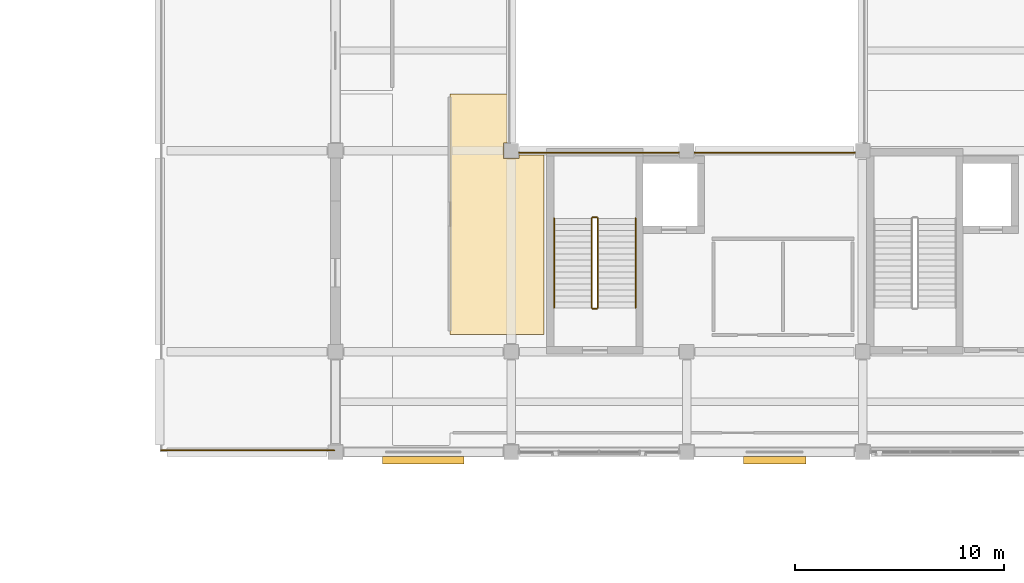
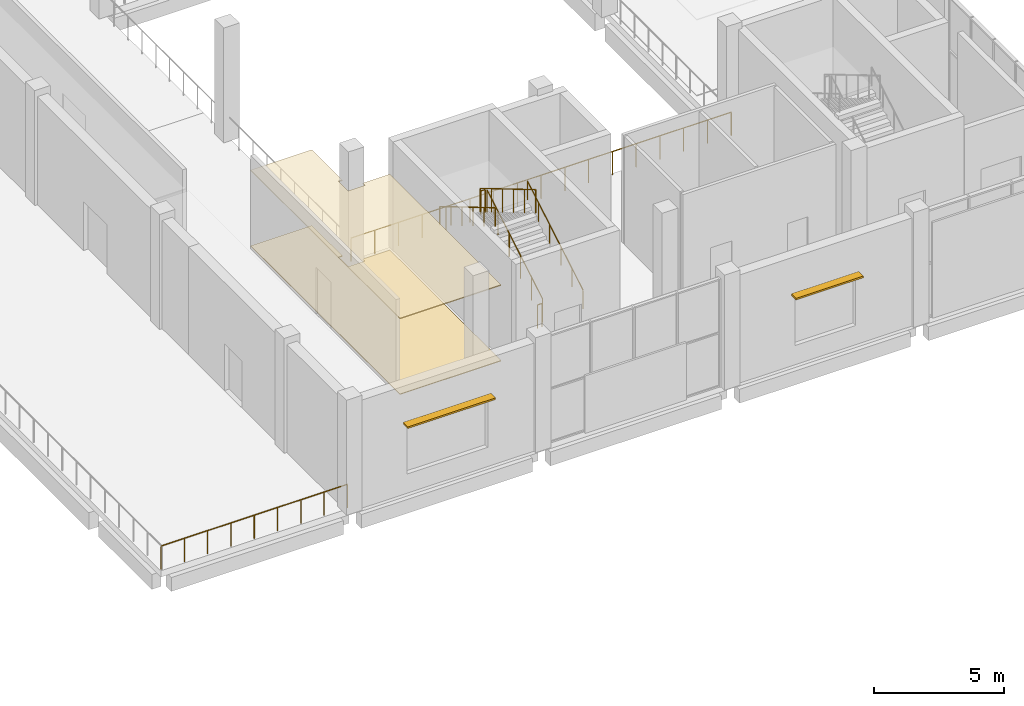
# One storey, part 79 of 83: 8 railings, 2 coverings, 2 shading devices.
"""IFC4 building model written with IfcOpenShell, lengths in metres."""

from ifc_helpers import new_model, si_unit, direction, frame, origin, origin_2d, place, context, subcontext, project, spatial, polyline, rectangle, circle, outline, extrude, material, layer, layer_set, type_object, element, save


model = new_model("IFC4")

# Units and contexts
model_context = context("Model", 3, precision=1e-05, world=origin(), true_north=direction((0.0, 1.0)))
body_context = subcontext(model_context, "Body", "Model", "MODEL_VIEW")
ifc_project = project(units=[si_unit("LENGTHUNIT", "METRE"), si_unit("AREAUNIT", "SQUARE_METRE"), si_unit("VOLUMEUNIT", "CUBIC_METRE"), si_unit("PLANEANGLEUNIT", "RADIAN"), si_unit("MASSUNIT", "GRAM", prefix="KILO")], contexts=[model_context])

# Site, building, storey
site_placement = place(None, origin())
site = spatial("IfcSite", under=ifc_project, at=site_placement, CompositionType="ELEMENT")
building_placement = place(site_placement, origin())
building = spatial("IfcBuilding", under=site, at=building_placement, Name="Shalvenor Court Art Gallery", CompositionType="ELEMENT")
storey_placement = place(building_placement, frame((0.0, 0.0, 6.0)))
storey = spatial("IfcBuildingStorey", under=building, at=storey_placement, Name="L01", CompositionType="ELEMENT", Elevation=6.0)

# Coverings
ifc_material_1 = material(Name="Perforated acoustic gypsum gallery ceiling", Category="other")
ifc_layer_1 = layer(ifc_material_1, 0.044921875, Name="Perforated acoustic gypsum gallery ceiling")
ifc_layer_set_1 = layer_set([ifc_layer_1], Name="Perforated acoustic gypsum gallery ceiling")
covering_type_1 = type_object("IfcCoveringType", Name="CLG-01", PredefinedType="CEILING", material=ifc_layer_set_1)
covering_1_placement = place(storey_placement, frame((0.0, 0.0, 3.550048828125)))
element("IfcCovering", 1, at=covering_1_placement, inside=storey, type_object=covering_type_1, Name="L01 Permanent Painting Gallery Wing B Acoustic Ceiling", PredefinedType="CEILING", context=body_context, shape_type="SweptSolid", body=[
    extrude(outline(polyline([(152.780029296875, 51.22998046875), (148.280029296875, 51.22998046875), (148.280029296875, 62.719970703125), (151.0, 62.719970703125), (151.0, 60.3701171875), (150.830078125, 60.3701171875), (150.830078125, 59.6298828125), (151.570068359375, 59.6298828125), (151.570068359375, 59.800048828125), (152.780029296875, 59.800048828125), (152.780029296875, 51.22998046875)])), origin(), (0.0, 0.0, 1.0), 0.044921875),
])
ifc_material_2 = material(Name="Quarter-sawn white oak gallery flooring", Category="wood")
ifc_layer_2 = layer(ifc_material_2, 0.031982421875, Name="Quarter-sawn white oak gallery flooring")
ifc_layer_set_2 = layer_set([ifc_layer_2], Name="Quarter-sawn white oak gallery flooring")
covering_type_2 = type_object("IfcCoveringType", Name="FLR-02", PredefinedType="FLOORING", material=ifc_layer_set_2)
covering_2_placement = place(storey_placement, origin())
element("IfcCovering", 2, at=covering_2_placement, inside=storey, type_object=covering_type_2, Name="L01 Permanent Painting Gallery Wing B Flooring", PredefinedType="FLOORING", context=body_context, shape_type="SweptSolid", body=[
    extrude(outline(polyline([(152.780029296875, 51.22998046875), (148.280029296875, 51.22998046875), (148.280029296875, 62.719970703125), (151.0, 62.719970703125), (151.0, 60.3701171875), (150.830078125, 60.3701171875), (150.830078125, 59.6298828125), (151.570068359375, 59.6298828125), (151.570068359375, 59.800048828125), (152.780029296875, 59.800048828125), (152.780029296875, 51.22998046875)])), origin(), (0.0, 0.0, 1.0), 0.031982421875),
])

# Railings
ifc_material_3 = material(Name="Stainless steel and laminated glass balustrade", Category="steel")
railing_type_1 = type_object("IfcRailingType", Name="GR-01", PredefinedType="BALUSTRADE", material=ifc_material_3)
railing_1_placement = place(storey_placement, frame((142.739990234375, 45.679931640625, 0.0)))
element("IfcRailing", 3, at=railing_1_placement, inside=storey, type_object=railing_type_1, Name="L01 V1 Terrace Balustrade 1", PredefinedType="BALUSTRADE", context=body_context, shape_type="SweptSolid", body=[
    extrude(circle(Radius=0.02392578125, at=origin_2d()), frame((0.0, 0.0, 1.09619140625), z_axis=(-1.0, 0.0, 0.0), x_axis=(0.0, -1.0, 0.0)), (0.0, 0.0, 1.0), 8.280029296875),
    extrude(circle(Radius=0.02099609375, at=origin_2d()), origin(), (0.0, 0.0, 1.0), 1.072021484375),
    extrude(circle(Radius=0.02099609375, at=origin_2d()), frame((-1.034912109375, 0.0, 0.0)), (0.0, 0.0, 1.0), 1.072021484375),
    extrude(circle(Radius=0.02099609375, at=origin_2d()), frame((-2.070068359375, 0.0, 0.0)), (0.0, 0.0, 1.0), 1.072021484375),
    extrude(circle(Radius=0.02099609375, at=origin_2d()), frame((-3.10498046875, 0.0, 0.0)), (0.0, 0.0, 1.0), 1.072021484375),
    extrude(circle(Radius=0.02099609375, at=origin_2d()), frame((-4.14013671875, 0.0, 0.0)), (0.0, 0.0, 1.0), 1.072021484375),
    extrude(circle(Radius=0.02099609375, at=origin_2d()), frame((-5.175048828125, 0.0, 0.0)), (0.0, 0.0, 1.0), 1.072021484375),
    extrude(circle(Radius=0.02099609375, at=origin_2d()), frame((-6.2099609375, 0.0, 0.0)), (0.0, 0.0, 1.0), 1.072021484375),
    extrude(circle(Radius=0.02099609375, at=origin_2d()), frame((-7.2451171875, 0.0, 0.0)), (0.0, 0.0, 1.0), 1.072021484375),
    extrude(circle(Radius=0.02099609375, at=origin_2d()), frame((-8.280029296875, 0.0, 0.0)), (0.0, 0.0, 1.0), 1.072021484375),
])
railing_2_placement = place(storey_placement, frame((151.1201171875, 59.919921875, 0.0)))
element("IfcRailing", 4, at=railing_2_placement, inside=storey, type_object=railing_type_1, Name="L01 Atrium Gallery Balustrade 1", PredefinedType="BALUSTRADE", context=body_context, shape_type="SweptSolid", body=[
    extrude(circle(Radius=0.02392578125, at=origin_2d()), frame((0.0, 0.0, 1.09619140625), z_axis=(1.0, 0.0, 0.0), x_axis=(0.0, 1.0, 0.0)), (0.0, 0.0, 1.0), 16.89990234375),
    extrude(circle(Radius=0.02099609375, at=origin_2d()), origin(), (0.0, 0.0, 1.0), 1.072021484375),
    extrude(circle(Radius=0.02099609375, at=origin_2d()), frame((1.05615234375, 0.0, 0.0)), (0.0, 0.0, 1.0), 1.072021484375),
    extrude(circle(Radius=0.02099609375, at=origin_2d()), frame((2.112548828125, 0.0, 0.0)), (0.0, 0.0, 1.0), 1.072021484375),
    extrude(circle(Radius=0.02099609375, at=origin_2d()), frame((3.168701171875, 0.0, 0.0)), (0.0, 0.0, 1.0), 1.072021484375),
    extrude(circle(Radius=0.02099609375, at=origin_2d()), frame((4.22509765625, 0.0, 0.0)), (0.0, 0.0, 1.0), 1.072021484375),
    extrude(circle(Radius=0.02099609375, at=origin_2d()), frame((5.28125, 0.0, 0.0)), (0.0, 0.0, 1.0), 1.072021484375),
    extrude(circle(Radius=0.02099609375, at=origin_2d()), frame((6.33740234375, 0.0, 0.0)), (0.0, 0.0, 1.0), 1.072021484375),
    extrude(circle(Radius=0.02099609375, at=origin_2d()), frame((7.393798828125, 0.0, 0.0)), (0.0, 0.0, 1.0), 1.072021484375),
    extrude(circle(Radius=0.02099609375, at=origin_2d()), frame((8.449951171875, 0.0, 0.0)), (0.0, 0.0, 1.0), 1.072021484375),
    extrude(circle(Radius=0.02099609375, at=origin_2d()), frame((9.506103515625, 0.0, 0.0)), (0.0, 0.0, 1.0), 1.072021484375),
    extrude(circle(Radius=0.02099609375, at=origin_2d()), frame((10.5625, 0.0, 0.0)), (0.0, 0.0, 1.0), 1.072021484375),
    extrude(circle(Radius=0.02099609375, at=origin_2d()), frame((11.61865234375, 0.0, 0.0)), (0.0, 0.0, 1.0), 1.072021484375),
    extrude(circle(Radius=0.02099609375, at=origin_2d()), frame((12.6748046875, 0.0, 0.0)), (0.0, 0.0, 1.0), 1.072021484375),
    extrude(circle(Radius=0.02099609375, at=origin_2d()), frame((13.731201171875, 0.0, 0.0)), (0.0, 0.0, 1.0), 1.072021484375),
    extrude(circle(Radius=0.02099609375, at=origin_2d()), frame((14.787353515625, 0.0, 0.0)), (0.0, 0.0, 1.0), 1.072021484375),
    extrude(circle(Radius=0.02099609375, at=origin_2d()), frame((15.84375, 0.0, 0.0)), (0.0, 0.0, 1.0), 1.072021484375),
    extrude(circle(Radius=0.02099609375, at=origin_2d()), frame((16.89990234375, 0.0, 0.0)), (0.0, 0.0, 1.0), 1.072021484375),
])
ifc_material_4 = material(Name="Painted steel post-and-rail guard", Category="steel")
railing_type_2 = type_object("IfcRailingType", Name="GR-02", PredefinedType="GUARDRAIL", material=ifc_material_4)
railing_3_placement = place(storey_placement, frame((155.35009765625, 52.5, 0.168701171875)))
element("IfcRailing", 5, at=railing_3_placement, inside=storey, type_object=railing_type_2, Name="L01 ST-03 Stair Guard 1", PredefinedType="GUARDRAIL", context=body_context, shape_type="SweptSolid", body=[
    extrude(circle(Radius=0.02392578125, at=origin_2d()), frame((0.0, 0.0, 1.09619140625), z_axis=(0.0, 0.860470286479, 0.509500624227), x_axis=(-1.0, 0.0, 0.0)), (0.0, 0.0, 1.0), 4.968017578125),
    extrude(circle(Radius=0.02099609375, at=origin_2d()), origin(), (0.0, 0.0, 1.0), 1.072021484375),
    extrude(circle(Radius=0.02099609375, at=origin_2d()), frame((0.0, 0.85498046875, 0.50634765625)), (0.0, 0.0, 1.0), 1.072021484375),
    extrude(circle(Radius=0.02099609375, at=origin_2d()), frame((0.0, 1.7099609375, 1.012451171875)), (0.0, 0.0, 1.0), 1.072021484375),
    extrude(circle(Radius=0.02099609375, at=origin_2d()), frame((0.0, 2.56494140625, 1.518798828125)), (0.0, 0.0, 1.0), 1.072021484375),
    extrude(circle(Radius=0.02099609375, at=origin_2d()), frame((0.0, 3.419921875, 2.02490234375)), (0.0, 0.0, 1.0), 1.072021484375),
    extrude(circle(Radius=0.02099609375, at=origin_2d()), frame((0.0, 4.27490234375, 2.53125)), (0.0, 0.0, 1.0), 1.072021484375),
])
railing_4_placement = place(storey_placement, frame((155.300048828125, 56.824951171875, 2.699951171875)))
element("IfcRailing", 6, at=railing_4_placement, inside=storey, type_object=railing_type_2, Name="L01 ST-03 Stair Guard 2", PredefinedType="GUARDRAIL", context=body_context, shape_type="SweptSolid", body=[
    extrude(circle(Radius=0.02392578125, at=origin_2d()), frame((0.0, 0.0, 1.09619140625), z_axis=(-1.0, 0.0, 0.0), x_axis=(0.0, -1.0, 0.0)), (0.0, 0.0, 1.0), 0.199951171875),
    extrude(circle(Radius=0.02099609375, at=origin_2d()), origin(), (0.0, 0.0, 1.0), 1.072021484375),
    extrude(circle(Radius=0.02099609375, at=origin_2d()), frame((-0.199951171875, 0.0, 0.0)), (0.0, 0.0, 1.0), 1.072021484375),
])
railing_5_placement = place(storey_placement, frame((155.050048828125, 56.77490234375, 2.86865234375)))
element("IfcRailing", 7, at=railing_5_placement, inside=storey, type_object=railing_type_2, Name="L01 ST-03 Stair Guard 3", PredefinedType="GUARDRAIL", context=body_context, shape_type="SweptSolid", body=[
    extrude(circle(Radius=0.02392578125, at=origin_2d()), frame((0.0, 0.0, 1.09619140625), z_axis=(0.0, -0.860470286479, 0.509500624227), x_axis=(1.0, 0.0, 0.0)), (0.0, 0.0, 1.0), 4.968017578125),
    extrude(circle(Radius=0.02099609375, at=origin_2d()), origin(), (0.0, 0.0, 1.0), 1.072021484375),
    extrude(circle(Radius=0.02099609375, at=origin_2d()), frame((0.0, -0.85498046875, 0.50634765625)), (0.0, 0.0, 1.0), 1.072021484375),
    extrude(circle(Radius=0.02099609375, at=origin_2d()), frame((0.0, -1.7099609375, 1.012451171875)), (0.0, 0.0, 1.0), 1.072021484375),
    extrude(circle(Radius=0.02099609375, at=origin_2d()), frame((0.0, -2.56494140625, 1.518798828125)), (0.0, 0.0, 1.0), 1.072021484375),
    extrude(circle(Radius=0.02099609375, at=origin_2d()), frame((0.0, -3.419921875, 2.02490234375)), (0.0, 0.0, 1.0), 1.072021484375),
    extrude(circle(Radius=0.02099609375, at=origin_2d()), frame((0.0, -4.27490234375, 2.53125)), (0.0, 0.0, 1.0), 1.072021484375),
])
railing_6_placement = place(storey_placement, frame((155.300048828125, 52.449951171875, 0.0)))
element("IfcRailing", 8, at=railing_6_placement, inside=storey, type_object=railing_type_2, Name="L01 ST-03 Stair Guard 4", PredefinedType="GUARDRAIL", context=body_context, shape_type="SweptSolid", body=[
    extrude(circle(Radius=0.02392578125, at=origin_2d()), frame((0.0, 0.0, 1.09619140625), z_axis=(-1.0, 0.0, 0.0), x_axis=(0.0, -1.0, 0.0)), (0.0, 0.0, 1.0), 0.199951171875),
    extrude(circle(Radius=0.02099609375, at=origin_2d()), origin(), (0.0, 0.0, 1.0), 1.072021484375),
    extrude(circle(Radius=0.02099609375, at=origin_2d()), frame((-0.199951171875, 0.0, 0.0)), (0.0, 0.0, 1.0), 1.072021484375),
])
ifc_material_5 = material(Name="Brushed stainless steel handrail", Category="steel")
railing_type_3 = type_object("IfcRailingType", Name="HR-01", PredefinedType="HANDRAIL", material=ifc_material_5)
railing_7_placement = place(storey_placement, frame((157.14990234375, 52.5, 0.168701171875)))
element("IfcRailing", 9, at=railing_7_placement, inside=storey, type_object=railing_type_3, Name="L01 ST-03 Stair Handrail 1", PredefinedType="HANDRAIL", context=body_context, shape_type="SweptSolid", body=[
    extrude(circle(Radius=0.02392578125, at=origin_2d()), frame((0.0, 0.0, 0.8759765625), z_axis=(0.0, 0.860470286479, 0.509500624227), x_axis=(-1.0, 0.0, 0.0)), (0.0, 0.0, 1.0), 4.968017578125),
    extrude(circle(Radius=0.02099609375, at=origin_2d()), origin(), (0.0, 0.0, 1.0), 0.851806640625),
    extrude(circle(Radius=0.02099609375, at=origin_2d()), frame((0.0, 0.85498046875, 0.50634765625)), (0.0, 0.0, 1.0), 0.851806640625),
    extrude(circle(Radius=0.02099609375, at=origin_2d()), frame((0.0, 1.7099609375, 1.012451171875)), (0.0, 0.0, 1.0), 0.851806640625),
    extrude(circle(Radius=0.02099609375, at=origin_2d()), frame((0.0, 2.56494140625, 1.518798828125)), (0.0, 0.0, 1.0), 0.851806640625),
    extrude(circle(Radius=0.02099609375, at=origin_2d()), frame((0.0, 3.419921875, 2.02490234375)), (0.0, 0.0, 1.0), 0.851806640625),
    extrude(circle(Radius=0.02099609375, at=origin_2d()), frame((0.0, 4.27490234375, 2.53125)), (0.0, 0.0, 1.0), 0.851806640625),
])
railing_8_placement = place(storey_placement, frame((153.25, 56.77490234375, 2.86865234375)))
element("IfcRailing", 10, at=railing_8_placement, inside=storey, type_object=railing_type_3, Name="L01 ST-03 Stair Handrail 2", PredefinedType="HANDRAIL", context=body_context, shape_type="SweptSolid", body=[
    extrude(circle(Radius=0.02392578125, at=origin_2d()), frame((0.0, 0.0, 0.8759765625), z_axis=(0.0, -0.860470286479, 0.509500624227), x_axis=(1.0, 0.0, 0.0)), (0.0, 0.0, 1.0), 4.968017578125),
    extrude(circle(Radius=0.02099609375, at=origin_2d()), origin(), (0.0, 0.0, 1.0), 0.851806640625),
    extrude(circle(Radius=0.02099609375, at=origin_2d()), frame((0.0, -0.85498046875, 0.50634765625)), (0.0, 0.0, 1.0), 0.851806640625),
    extrude(circle(Radius=0.02099609375, at=origin_2d()), frame((0.0, -1.7099609375, 1.012451171875)), (0.0, 0.0, 1.0), 0.851806640625),
    extrude(circle(Radius=0.02099609375, at=origin_2d()), frame((0.0, -2.56494140625, 1.518798828125)), (0.0, 0.0, 1.0), 0.851806640625),
    extrude(circle(Radius=0.02099609375, at=origin_2d()), frame((0.0, -3.419921875, 2.02490234375)), (0.0, 0.0, 1.0), 0.851806640625),
    extrude(circle(Radius=0.02099609375, at=origin_2d()), frame((0.0, -4.27490234375, 2.53125)), (0.0, 0.0, 1.0), 0.851806640625),
])

# Shading devices
ifc_material_6 = material(Name="Dark anodised bronze aluminium louvre", Category="aluminium")
shading_device_type = type_object("IfcShadingDeviceType", Name="SHD-01", PredefinedType="JALOUSIE", material=ifc_material_6)
shading_device_1_placement = place(storey_placement, frame((163.800048828125, 45.2099609375, 3.300048828125), z_axis=(0.0, 0.0, 1.0), x_axis=(-1.0, 0.0, 0.0)))
element("IfcShadingDevice", 11, at=shading_device_1_placement, inside=storey, type_object=shading_device_type, Name="L01 Koushi Window Sunshade 3", PredefinedType="JALOUSIE", context=body_context, shape_type="SweptSolid", body=[
    extrude(rectangle(XDim=3.0, YDim=0.360107421875, at=origin_2d()), origin(), (0.0, 0.0, 1.0), 0.080078125),
])
shading_device_2_placement = place(storey_placement, frame((147.0, 45.2099609375, 3.300048828125), z_axis=(0.0, 0.0, 1.0), x_axis=(-1.0, 0.0, 0.0)))
element("IfcShadingDevice", 12, at=shading_device_2_placement, inside=storey, type_object=shading_device_type, Name="L01 Koushi Window Sunshade 4", PredefinedType="JALOUSIE", context=body_context, shape_type="SweptSolid", body=[
    extrude(rectangle(XDim=3.89990234375, YDim=0.360107421875, at=origin_2d()), origin(), (0.0, 0.0, 1.0), 0.080078125),
])

save(model, "model.ifc")
